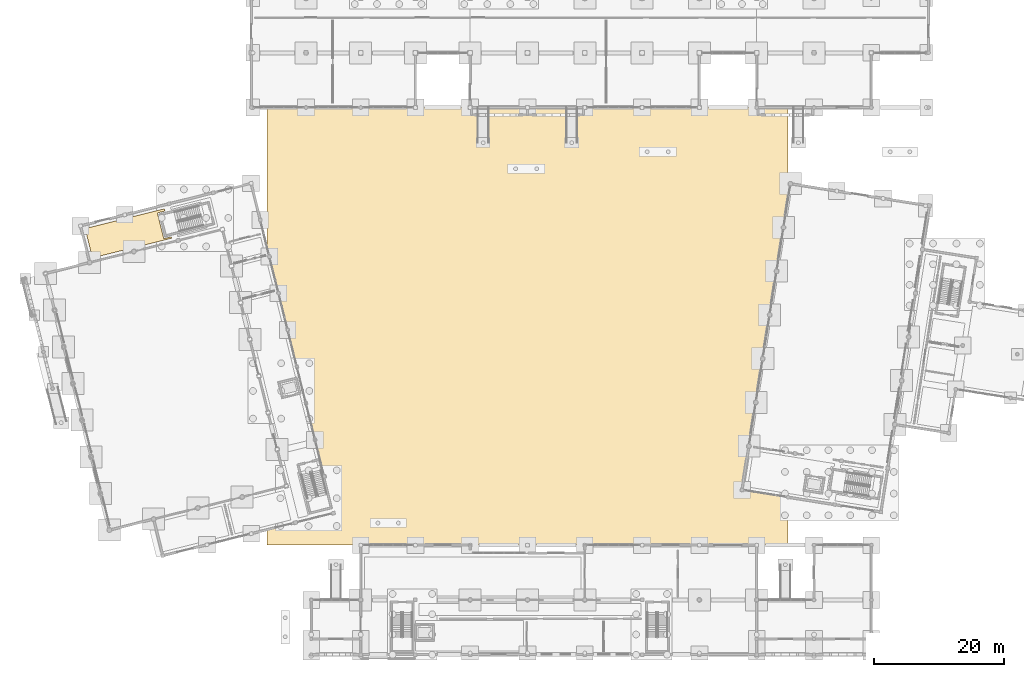
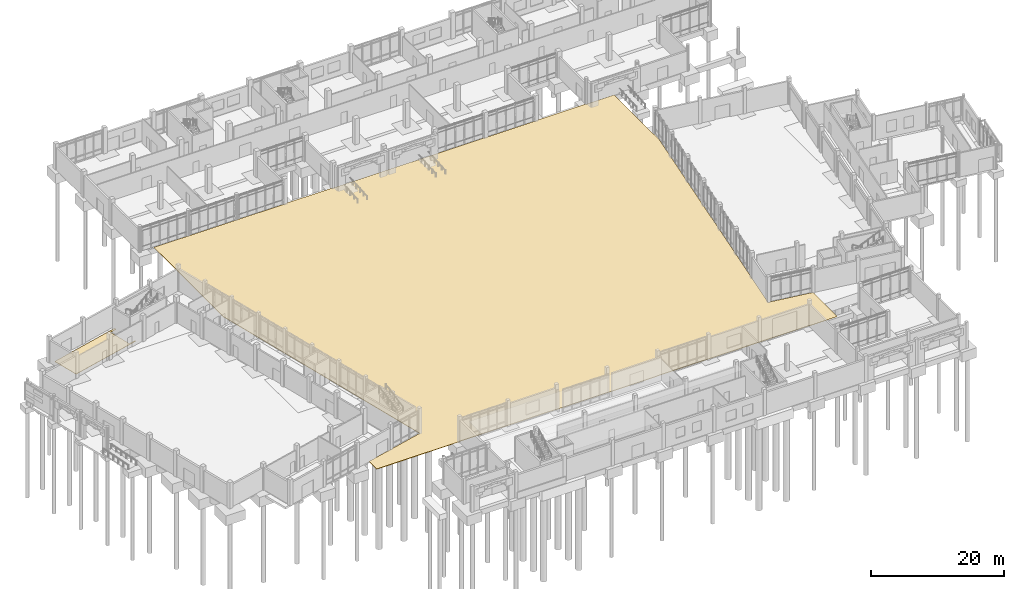
# One storey, part 63 of 72: 2 coverings.
"""IFC4 building model written with IfcOpenShell, lengths in metres."""

from ifc_helpers import new_model, si_unit, direction, frame, origin, place, context, subcontext, project, spatial, polyline, outline, extrude, material, layer, layer_set, type_object, element, save


model = new_model("IFC4")

# Units and contexts
model_context = context("Model", 3, precision=1e-05, world=origin(), true_north=direction((0.0, 1.0)))
body_context = subcontext(model_context, "Body", "Model", "MODEL_VIEW")
ifc_project = project(units=[si_unit("LENGTHUNIT", "METRE"), si_unit("AREAUNIT", "SQUARE_METRE"), si_unit("VOLUMEUNIT", "CUBIC_METRE"), si_unit("PLANEANGLEUNIT", "RADIAN"), si_unit("MASSUNIT", "GRAM", prefix="KILO")], contexts=[model_context])

# Site, building, storey
site_placement = place(None, origin())
site = spatial("IfcSite", under=ifc_project, at=site_placement, CompositionType="ELEMENT")
building_placement = place(site_placement, origin())
building = spatial("IfcBuilding", under=site, at=building_placement, Name="Cinderway Yard Community Centre", CompositionType="ELEMENT")
storey_placement = place(building_placement, origin())
storey = spatial("IfcBuildingStorey", under=building, at=storey_placement, Name="L00", CompositionType="ELEMENT", Elevation=0.0)

# Coverings
ifc_material_1 = material(Name="Sprung Hardwood Court Floor", Category="wood")
ifc_layer_1 = layer(ifc_material_1, 0.054931640625, Name="Sprung Hardwood Court Floor")
ifc_layer_set_1 = layer_set([ifc_layer_1], Name="Sprung Hardwood Court Floor")
covering_type_1 = type_object("IfcCoveringType", Name="INT-COV-FLR-SPR", PredefinedType="FLOORING", material=ifc_layer_set_1)
covering_1_placement = place(storey_placement, origin())
element("IfcCovering", 1, at=covering_1_placement, inside=storey, type_object=covering_type_1, Name="Backstage & Green Room Floor Finish", PredefinedType="FLOORING", context=body_context, shape_type="SweptSolid", body=[
    extrude(outline(polyline([(16.080078125, 71.408935546875), (28.2470703125, 74.443115234375), (28.3291015625, 74.114013671875), (27.1650390625, 73.822998046875), (28.152099609375, 69.864990234375), (29.31591796875, 70.155029296875), (29.368896484375, 69.94091796875), (17.201904296875, 66.907958984375), (16.080078125, 71.408935546875)])), origin(), (0.0, 0.0, 1.0), 0.054931640625),
])
ifc_material_2 = material(Name="Precast concrete C40/50", Category="concrete")
ifc_layer_2 = layer(ifc_material_2, 0.080078125, Name="Precast concrete C40/50")
ifc_layer_set_2 = layer_set([ifc_layer_2], Name="Precast concrete C40/50")
covering_type_2 = type_object("IfcCoveringType", Name="INT-COV-PAVING-80", PredefinedType="USERDEFINED", material=ifc_layer_set_2)
covering_2_placement = place(storey_placement, frame((0.0, 0.0, -0.080078125)))
element("IfcCovering", 2, at=covering_2_placement, inside=storey, type_object=covering_type_2, Name="Civic Courtyard & Rail-Yard Stone Plaza 01", ObjectType="PAVING", PredefinedType="USERDEFINED", context=body_context, shape_type="SweptSolid", body=[
    extrude(outline(polyline([(44.0, 22.800048828125), (44.0, 25.10888671875), (54.27587890625, 27.669921875), (44.0, 68.882080078125), (44.0, 89.93994140625), (66.860107421875, 89.93994140625), (66.860107421875, 90.0), (75.139892578125, 90.0), (75.139892578125, 89.93994140625), (110.4599609375, 89.93994140625), (110.4599609375, 90.0), (119.139892578125, 90.0), (119.139892578125, 89.93994140625), (124.0, 89.93994140625), (124.0, 76.263916015625), (116.866943359375, 31.23388671875), (124.0, 30.10400390625), (124.0, 22.800048828125), (119.260009765625, 22.800048828125), (119.260009765625, 22.860107421875), (92.739990234375, 22.860107421875), (92.739990234375, 22.800048828125), (75.260009765625, 22.800048828125), (75.260009765625, 22.860107421875), (58.340087890625, 22.860107421875), (58.340087890625, 22.800048828125), (44.0, 22.800048828125)])), origin(), (0.0, 0.0, 1.0), 0.080078125),
])

save(model, "model.ifc")
